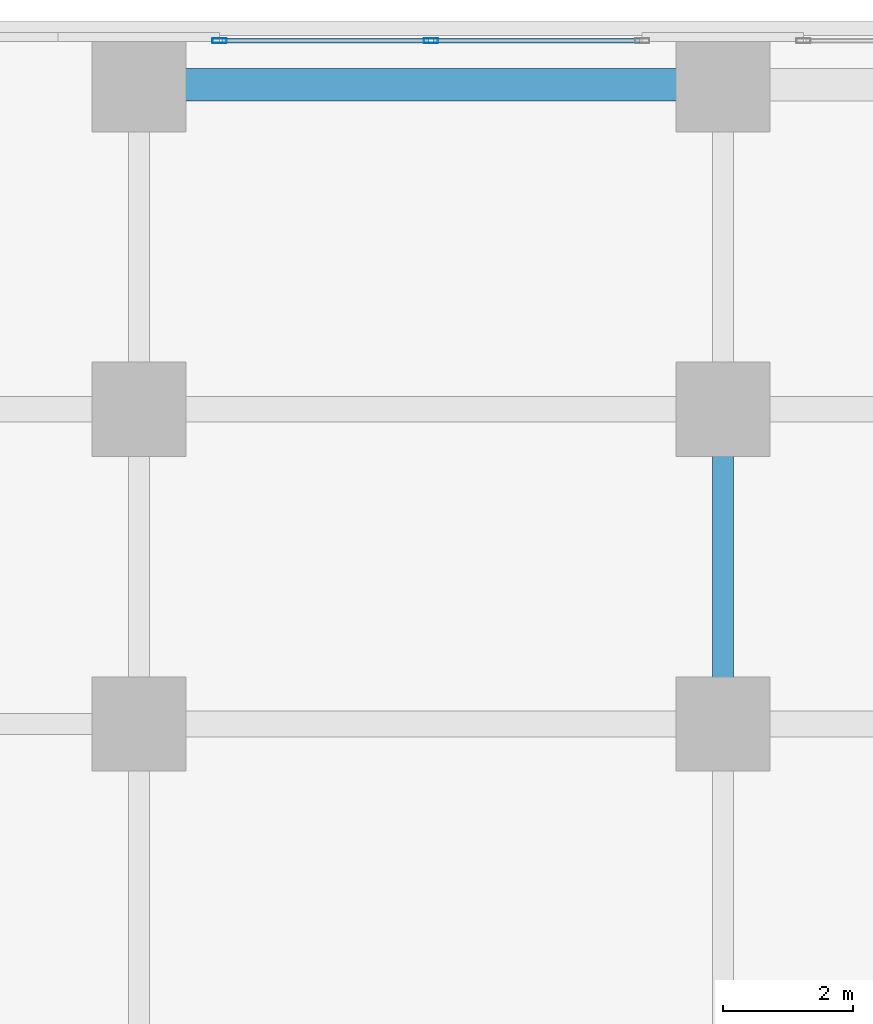
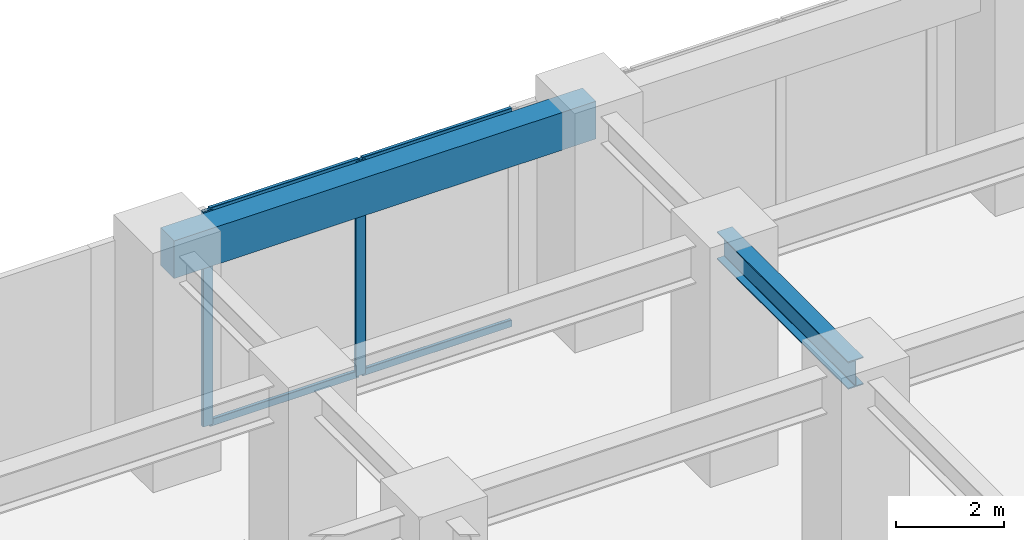
# One storey, part 17 of 33: 6 members, 2 beams, 1 element without a shape of its own.
"""IFC4 building model written with IfcOpenShell, lengths in metres."""

from ifc_helpers import new_model, si_unit, direction, frame, origin, origin_2d, place, context, subcontext, project, spatial, rectangle, hollow_rectangle, i_section, extrude, source, transform, mapped, material, material_profile, profile_set, type_object, element, aggregate, save


model = new_model("IFC4")

# Units and contexts
model_context = context("Model", 3, precision=1e-05, world=origin(), true_north=direction((0.0, 1.0)))
body_context = subcontext(model_context, "Body", "Model", "MODEL_VIEW")
ifc_project = project(units=[si_unit("LENGTHUNIT", "METRE"), si_unit("AREAUNIT", "SQUARE_METRE"), si_unit("VOLUMEUNIT", "CUBIC_METRE"), si_unit("PLANEANGLEUNIT", "RADIAN"), si_unit("MASSUNIT", "GRAM", prefix="KILO")], contexts=[model_context])

# Site, building, storey
site_placement = place(None, origin())
site = spatial("IfcSite", under=ifc_project, at=site_placement, CompositionType="ELEMENT")
building_placement = place(site_placement, origin())
building = spatial("IfcBuilding", under=site, at=building_placement, Name="Torre Montelarca", CompositionType="ELEMENT")
storey_placement = place(building_placement, frame((0.0, 0.0, 12.0)))
storey = spatial("IfcBuildingStorey", under=building, at=storey_placement, Name="L03", CompositionType="ELEMENT", Elevation=12.0)

# Beams
ifc_material_1 = material(Name="Concrete C55/67", Category="concrete")
ifc_material_profile_1 = material_profile(ifc_material_1, rectangle(XDim=0.5, YDim=0.85009765625, at=origin_2d()), Name="RCB500X850", Category="concrete")
ifc_profile_set_1 = profile_set([ifc_material_profile_1], Name="Concrete C55/67")
beam_type_1 = type_object("IfcBeamType", Name="BM-SP-RC850-EXT", PredefinedType="SPANDREL", material=ifc_profile_set_1)
shared_shape_1 = source(origin(), body_context, "Body", "SweptSolid", [
    extrude(rectangle(XDim=0.5, YDim=0.85009765625, at=origin_2d()), origin(), (0.0, 0.0, 1.0), 9.0),
])
beam_1_placement = place(storey_placement, frame((9.0, 57.0, 4.715087890625), z_axis=(1.0, 0.0, 0.0), x_axis=(0.0, 1.0, 0.0)))
element("IfcBeam", 1, at=beam_1_placement, inside=storey, type_object=beam_type_1, Name="L03 Grid Girder X 9.0-18.0 at Y=57.0", PredefinedType="SPANDREL", context=body_context, shape_type="MappedRepresentation", body=[
    mapped(shared_shape_1, transform((0.0, 0.0, 0.0), scale=1.0)),
])
ifc_material_2 = material(Name="Steel ASTM A992 Grade 50", Category="steel")
ifc_material_profile_2 = material_profile(ifc_material_2, i_section(OverallWidth=0.326904296875, OverallDepth=0.6220703125, WebThickness=0.015380859375, FlangeThickness=0.0244140625, FilletRadius=0.014892578125, at=origin_2d()), Name="W610X195", Category="steel")
ifc_profile_set_2 = profile_set([ifc_material_profile_2], Name="Steel ASTM A992 Grade 50")
beam_type_2 = type_object("IfcBeamType", Name="BM-G-W610H", PredefinedType="BEAM", material=ifc_profile_set_2)
shared_shape_2 = source(origin(), body_context, "Body", "SweptSolid", [
    extrude(i_section(OverallWidth=0.326904296875, OverallDepth=0.6220703125, WebThickness=0.015380859375, FlangeThickness=0.0244140625, FilletRadius=0.014892578125, at=origin_2d()), origin(), (0.0, 0.0, 1.0), 4.85009765625),
])
beam_2_placement = place(storey_placement, frame((18.0, 47.14990234375, 4.8291015625), z_axis=(0.0, 1.0, 0.0), x_axis=(-1.0, 0.0, 0.0)))
element("IfcBeam", 2, at=beam_2_placement, inside=storey, type_object=beam_type_2, Name="L03 Grid Girder Y 47.1-52.0 at X=18.0", PredefinedType="BEAM", context=body_context, shape_type="MappedRepresentation", body=[
    mapped(shared_shape_2, transform((0.0, 0.0, 0.0), scale=1.0)),
])

# Curtain wall, members
ifc_material_3 = material(Name="Insulated low-E laminated glass", Category="glass")
curtain_wall_type = type_object("IfcCurtainWallType", Name="CW-SYS-POD2", PredefinedType="USERDEFINED", material=ifc_material_3)
curtain_wall_placement = place(storey_placement, origin())
curtain_wall = element("IfcCurtainWall", 3, at=curtain_wall_placement, inside=storey, type_object=curtain_wall_type, Name="L03 Curtain Wall Run CW-T3-L03-E08-B3", ObjectType="UNITISED GLAZING", PredefinedType="USERDEFINED")
ifc_material_4 = material(Name="Anodised aluminium AA 6063-T6", Category="aluminium")
ifc_material_profile_3 = material_profile(ifc_material_4, hollow_rectangle(XDim=0.074951171875, YDim=0.159912109375, WallThickness=0.0048828125, InnerFilletRadius=0.0048828125, OuterFilletRadius=0.010009765625, at=origin_2d()), Name="ALU75X160X5", Category="aluminium")
ifc_profile_set_3 = profile_set([ifc_material_profile_3], Name="Anodised aluminium AA 6063-T6")
member_type_1 = type_object("IfcMemberType", Name="CWT-ALU160", PredefinedType="USERDEFINED", material=ifc_profile_set_3)
shared_shape_3 = source(origin(), body_context, "Body", "SweptSolid", [
    extrude(hollow_rectangle(XDim=0.074951171875, YDim=0.159912109375, WallThickness=0.0048828125, InnerFilletRadius=0.0048828125, OuterFilletRadius=0.010009765625, at=origin_2d()), origin(), (0.0, 0.0, 1.0), 3.182373046875),
])
member_1_placement = place(storey_placement, frame((16.719970703125, 57.679931640625, 0.03759765625), z_axis=(-1.0, 0.0, 0.0), x_axis=(0.0, -1.0, 0.0)))
member_1 = element("IfcMember", 4, at=member_1_placement, type_object=member_type_1, Name="CW transom 1.1", ObjectType="TRANSOM", PredefinedType="USERDEFINED", context=body_context, shape_type="MappedRepresentation", body=[
    mapped(shared_shape_3, transform((0.0, 0.0, 0.0), scale=1.0)),
])
member_2_placement = place(storey_placement, frame((16.719970703125, 57.679931640625, 4.8125), z_axis=(-1.0, 0.0, 0.0), x_axis=(0.0, -1.0, 0.0)))
member_2 = element("IfcMember", 5, at=member_2_placement, type_object=member_type_1, Name="CW transom 1.2", ObjectType="TRANSOM", PredefinedType="USERDEFINED", context=body_context, shape_type="MappedRepresentation", body=[
    mapped(shared_shape_3, transform((0.0, 0.0, 0.0), scale=1.0)),
])
member_3_placement = place(storey_placement, frame((13.46240234375, 57.679931640625, 0.03759765625), z_axis=(-1.0, 0.0, 0.0), x_axis=(0.0, -1.0, 0.0)))
member_3 = element("IfcMember", 6, at=member_3_placement, type_object=member_type_1, Name="CW transom 2.1", ObjectType="TRANSOM", PredefinedType="USERDEFINED", context=body_context, shape_type="MappedRepresentation", body=[
    mapped(shared_shape_3, transform((0.0, 0.0, 0.0), scale=1.0)),
])
member_4_placement = place(storey_placement, frame((13.46240234375, 57.679931640625, 4.8125), z_axis=(-1.0, 0.0, 0.0), x_axis=(0.0, -1.0, 0.0)))
member_4 = element("IfcMember", 7, at=member_4_placement, type_object=member_type_1, Name="CW transom 2.2", ObjectType="TRANSOM", PredefinedType="USERDEFINED", context=body_context, shape_type="MappedRepresentation", body=[
    mapped(shared_shape_3, transform((0.0, 0.0, 0.0), scale=1.0)),
])
ifc_material_profile_4 = material_profile(ifc_material_4, hollow_rectangle(XDim=0.074951171875, YDim=0.219970703125, WallThickness=0.0048828125, InnerFilletRadius=0.0048828125, OuterFilletRadius=0.010009765625, at=origin_2d()), Name="ALU75X220X5", Category="aluminium")
ifc_profile_set_4 = profile_set([ifc_material_profile_4], Name="Anodised aluminium AA 6063-T6")
member_type_2 = type_object("IfcMemberType", Name="CWM-ALU220", PredefinedType="MULLION", material=ifc_profile_set_4)
shared_shape_4 = source(origin(), body_context, "Body", "SweptSolid", [
    extrude(hollow_rectangle(XDim=0.074951171875, YDim=0.219970703125, WallThickness=0.0048828125, InnerFilletRadius=0.0048828125, OuterFilletRadius=0.010009765625, at=origin_2d()), origin(), (0.0, 0.0, 1.0), 4.85009765625),
])
member_5_placement = place(storey_placement, frame((13.5, 57.679931640625, 0.0), z_axis=(0.0, 0.0, 1.0), x_axis=(0.0, -1.0, 0.0)))
member_5 = element("IfcMember", 8, at=member_5_placement, type_object=member_type_2, Name="CW mullion 2", PredefinedType="MULLION", context=body_context, shape_type="MappedRepresentation", body=[
    mapped(shared_shape_4, transform((0.0, 0.0, 0.0), scale=1.0)),
])
member_6_placement = place(storey_placement, frame((10.242431640625, 57.679931640625, 0.0), z_axis=(0.0, 0.0, 1.0), x_axis=(0.0, -1.0, 0.0)))
member_6 = element("IfcMember", 9, at=member_6_placement, type_object=member_type_2, Name="CW mullion 3", PredefinedType="MULLION", context=body_context, shape_type="MappedRepresentation", body=[
    mapped(shared_shape_4, transform((0.0, 0.0, 0.0), scale=1.0)),
])
aggregate(curtain_wall, [member_5, member_6, member_1, member_2, member_3, member_4])

save(model, "model.ifc")
